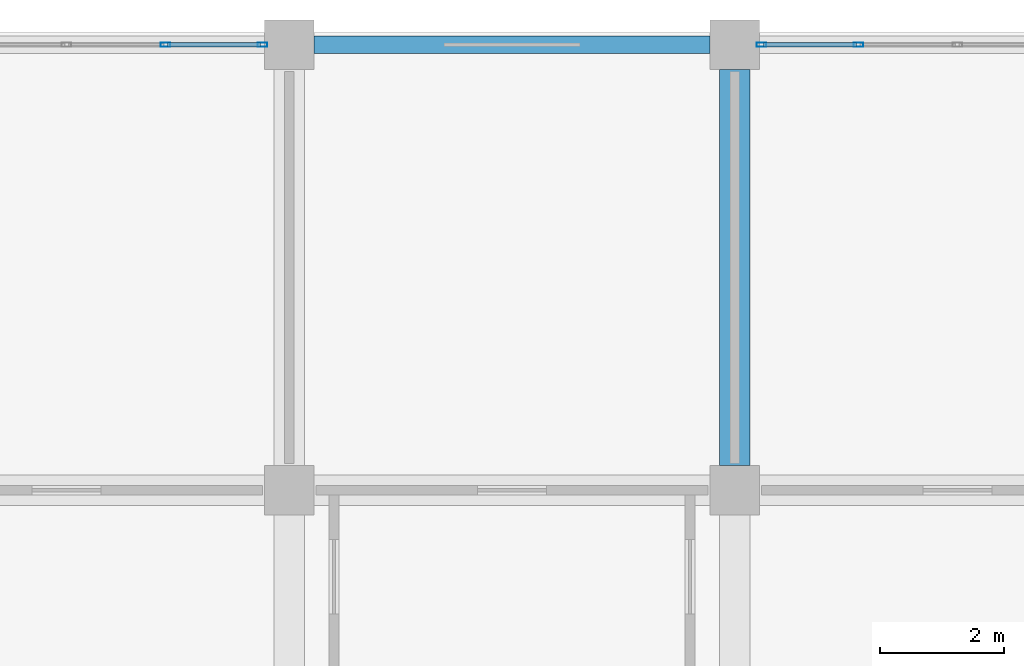
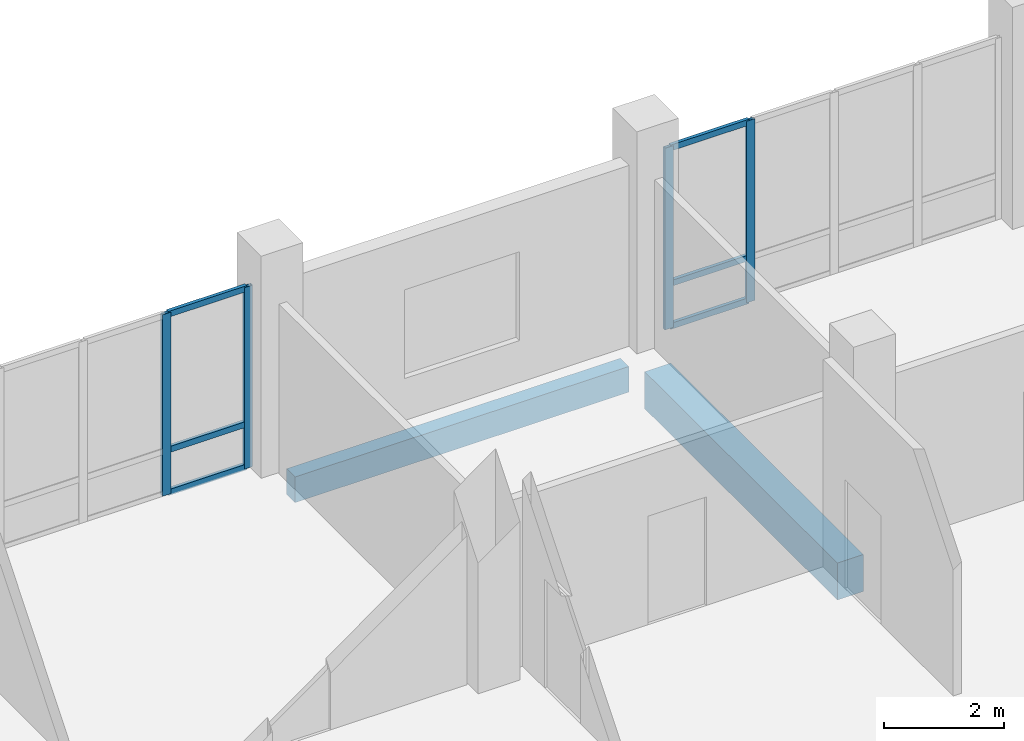
# One storey, part 59 of 139: 10 members, 2 beams, 2 elements without a shape of their own.
"""IFC4 building model written with IfcOpenShell, lengths in metres."""

import ifcopenshell
import ifcopenshell.guid

model = None  # the IFC model being written
_history = None  # IfcOwnerHistory: only IFC2X3 demands one
_inside = {}  # id of a spatial element -> (the spatial element, [elements in it])
_under = {}  # id of a project, library or spatial element -> (it, [spatial elements below it])
_declared = {}  # id of a project -> (the project, [libraries it declares])
_typed = {}  # id of a type object -> (the type object, [elements of that type])
_made_of = {}  # id of a material, layer set ... -> (it, [elements and type objects made of it])


def new_model(schema):
    """Start an empty IFC model of exactly this schema.

    Asked for "IFC4X3", IfcOpenShell would pick the latest addendum, in which some entities
    have other attributes; the version numbers below select the first issue.
    IFC2X3 requires an IfcOwnerHistory on every rooted entity: one is made here for all.
    """
    global model, _history
    if schema == "IFC4X3":
        model = ifcopenshell.file(schema_version=(4, 3, 0, 0))
    else:
        model = ifcopenshell.file(schema=schema)
    _inside.clear()
    _under.clear()
    _declared.clear()
    _typed.clear()
    _made_of.clear()
    _history = None
    if model.schema == "IFC2X3":
        org = make("IfcOrganization", Name="unknown")
        user = make(
            "IfcPersonAndOrganization",
            ThePerson=make("IfcPerson", FamilyName="unknown"),
            TheOrganization=org,
        )
        app = make(
            "IfcApplication",
            ApplicationDeveloper=org,
            Version="unknown",
            ApplicationFullName="unknown",
            ApplicationIdentifier="unknown",
        )
        _history = make(
            "IfcOwnerHistory",
            OwningUser=user,
            OwningApplication=app,
            ChangeAction="ADDED",
            CreationDate=0,
        )
    return model


def make(cls, **values):
    """One entity of the class cls with the attributes given. An attribute that is None is left unset."""
    return model.create_entity(
        cls, **{name: value for name, value in values.items() if value is not None}
    )


def rooted(cls, **values):
    """An entity with a GlobalId (a new one), such as an element, a storey or a relation."""
    return make(cls, GlobalId=ifcopenshell.guid.new(), OwnerHistory=_history, **values)


def si_unit(unit_type, name, prefix=None):
    """IfcSIUnit, for example si_unit("LENGTHUNIT", "METRE", prefix="MILLI")."""
    return make("IfcSIUnit", UnitType=unit_type, Prefix=prefix, Name=name)


def assignment(units):
    """IfcUnitAssignment: the units of a project."""
    return None if units is None else make("IfcUnitAssignment", Units=units)


def point(xyz):
    """IfcCartesianPoint."""
    return None if xyz is None else make("IfcCartesianPoint", Coordinates=xyz)


def direction(xyz):
    """IfcDirection."""
    return None if xyz is None else make("IfcDirection", DirectionRatios=xyz)


def frame(location, z_axis=None, x_axis=None):
    """IfcAxis2Placement3D, a coordinate frame: its origin and axes. An axis left out is left unset."""
    return make(
        "IfcAxis2Placement3D",
        Location=point(location),
        Axis=direction(z_axis),
        RefDirection=direction(x_axis),
    )


def frame_2d(location, x_axis=None):
    """IfcAxis2Placement2D, a coordinate frame in the plane: its origin and x axis."""
    return make(
        "IfcAxis2Placement2D", Location=point(location), RefDirection=direction(x_axis)
    )


def origin():
    """The frame at (0, 0, 0) with its axes left unset."""
    return frame((0.0, 0.0, 0.0))


def origin_2d():
    """The frame at (0, 0) in the plane with its x axis left unset."""
    return frame_2d((0.0, 0.0))


def place(relative_to, where):
    """IfcLocalPlacement: puts the frame where relative to a parent placement (None: the world)."""
    return make(
        "IfcLocalPlacement", PlacementRelTo=relative_to, RelativePlacement=where
    )


def context(
    kind, dimensions, precision=None, world=None, true_north=None, identifier=None
):
    """IfcGeometricRepresentationContext, for example the 3D "Model" context."""
    return make(
        "IfcGeometricRepresentationContext",
        ContextIdentifier=identifier,
        ContextType=kind,
        CoordinateSpaceDimension=dimensions,
        Precision=precision,
        WorldCoordinateSystem=world,
        TrueNorth=true_north,
    )


def subcontext(parent, identifier, kind, view, scale=None):
    """IfcGeometricRepresentationSubContext, for example "Body" below "Model"."""
    return make(
        "IfcGeometricRepresentationSubContext",
        ContextIdentifier=identifier,
        ContextType=kind,
        ParentContext=parent,
        TargetScale=scale,
        TargetView=view,
    )


def project(units=None, contexts=None):
    """IfcProject with its units and contexts."""
    return rooted(
        "IfcProject",
        Name="project",
        RepresentationContexts=contexts,
        UnitsInContext=assignment(units),
    )


def spatial(cls, under=None, at=None, **own):
    """A site, building, storey or space (cls), placed at a placement, below another one or the project."""
    s = rooted(cls, ObjectPlacement=at, **own)
    if under is not None:
        _under.setdefault(under.id(), (under, []))[1].append(s)
    return s


def profile(cls, at=None, kind="AREA", **sizes):
    """A parametric profile (cls). Its sizes go by their IFC names, for example OverallWidth=200.0."""
    return make(cls, ProfileType=kind, Position=at, **sizes)


def rectangle(**sizes):
    """IfcRectangleProfileDef."""
    return profile("IfcRectangleProfileDef", **sizes)


def hollow_rectangle(**sizes):
    """IfcRectangleHollowProfileDef."""
    return profile("IfcRectangleHollowProfileDef", **sizes)


def extrude(swept, where, along, depth):
    """IfcExtrudedAreaSolid: the profile swept, set in the frame where, extruded along a direction by depth."""
    return make(
        "IfcExtrudedAreaSolid",
        SweptArea=swept,
        Position=where,
        ExtrudedDirection=direction(along),
        Depth=depth,
    )


def shape(context_of_items, identifier, shape_type, items):
    """IfcShapeRepresentation: the items that make up one representation, for example the "Body"."""
    return make(
        "IfcShapeRepresentation",
        ContextOfItems=context_of_items,
        RepresentationIdentifier=identifier,
        RepresentationType=shape_type,
        Items=items,
    )


def material(Name=None, Category=None):
    """IfcMaterial."""
    return make("IfcMaterial", Name=Name, Category=Category)


def material_profile(
    of_material, cross_section, Name=None, Category=None, Priority=None
):
    """IfcMaterialProfile: a cross section and its material."""
    return make(
        "IfcMaterialProfile",
        Name=Name,
        Material=of_material,
        Profile=cross_section,
        Priority=Priority,
        Category=Category,
    )


def profile_set(profiles, Name=None, composite=None):
    """IfcMaterialProfileSet."""
    return make(
        "IfcMaterialProfileSet",
        Name=Name,
        MaterialProfiles=profiles,
        CompositeProfile=composite,
    )


def made_of(thing, what):
    """Note that an element or type object is made of a material, layer set ...; save() writes the relation."""
    if what is not None:
        _made_of.setdefault(what.id(), (what, []))[1].append(thing)
    return thing


def type_object(cls, material=None, **own):
    """A type object (cls), such as IfcWallType, which elements share."""
    return made_of(rooted(cls, **own), material)


def element(
    cls,
    number,
    at=None,
    inside=None,
    cuts=None,
    type_object=None,
    material=None,
    context=None,
    identifier="Body",
    shape_type=None,
    held_by="IfcProductDefinitionShape",
    body=None,
    shapes=None,
    **own,
):
    """One element of the class cls, such as IfcWall. Its Tag is "e" and its number.

    at: its placement. inside: the storey or other place that contains it. cuts: it is an
    opening in that element (IfcRelVoidsElement). A single representation is given by context,
    identifier, shape_type and body (its items); several are given by shapes. held_by: the class
    of the entity that holds the representations. save() writes the other relations.
    """
    e = rooted(cls, Tag="e%d" % number, ObjectPlacement=at, **own)
    if body is not None:
        shapes = [shape(context, identifier, shape_type, body)]
    if shapes is not None:
        e.Representation = make(held_by, Representations=shapes)
    if inside is not None:
        _inside.setdefault(inside.id(), (inside, []))[1].append(e)
    if cuts is not None:
        rooted(
            "IfcRelVoidsElement", RelatingBuildingElement=cuts, RelatedOpeningElement=e
        )
    if type_object is not None:
        _typed.setdefault(type_object.id(), (type_object, []))[1].append(e)
    return made_of(e, material)


def aggregate(whole, parts):
    """IfcRelAggregates: a whole, such as a stair, and the parts it consists of."""
    return rooted("IfcRelAggregates", RelatingObject=whole, RelatedObjects=parts)


def save(model, path):
    """Write the relations noted so far, then the file.

    IfcRelAggregates (storeys below a building ...), IfcRelContainedInSpatialStructure (elements
    in a storey), IfcRelDefinesByType, IfcRelAssociatesMaterial and IfcRelDeclares: one each for
    every whole, place, type object, material and project.
    """
    for whole, parts in _under.values():
        aggregate(whole, parts)
    for where, things in _inside.values():
        rooted(
            "IfcRelContainedInSpatialStructure",
            RelatedElements=things,
            RelatingStructure=where,
        )
    for kind, things in _typed.values():
        rooted("IfcRelDefinesByType", RelatedObjects=things, RelatingType=kind)
    for what, things in _made_of.values():
        rooted("IfcRelAssociatesMaterial", RelatedObjects=things, RelatingMaterial=what)
    for by, libraries in _declared.values():
        rooted("IfcRelDeclares", RelatingContext=by, RelatedDefinitions=libraries)
    model.write(path)


model = new_model("IFC4")

# Units and contexts
model_context = context("Model", 3, precision=1e-05, world=origin(), true_north=direction((0.0, 1.0)))
body_context = subcontext(model_context, "Body", "Model", "MODEL_VIEW")
ifc_project = project(units=[si_unit("LENGTHUNIT", "METRE"), si_unit("AREAUNIT", "SQUARE_METRE"), si_unit("VOLUMEUNIT", "CUBIC_METRE"), si_unit("PLANEANGLEUNIT", "RADIAN"), si_unit("MASSUNIT", "GRAM", prefix="KILO")], contexts=[model_context])

# Site, building, storey
site_placement = place(None, origin())
site = spatial("IfcSite", under=ifc_project, at=site_placement, CompositionType="ELEMENT")
building_placement = place(site_placement, origin())
building = spatial("IfcBuilding", under=site, at=building_placement, Name="Suanplinth Sawtooth Commons", CompositionType="ELEMENT")
storey_placement = place(building_placement, origin())
storey = spatial("IfcBuildingStorey", under=building, at=storey_placement, Name="L00", CompositionType="ELEMENT", Elevation=0.0)

# Beams
ifc_material_1 = material(Name="Concrete C40/50", Category="concrete")
ifc_material_profile_1 = material_profile(ifc_material_1, rectangle(XDim=0.5, YDim=0.75, at=origin_2d()), Name="RC-GDR 500x750")
ifc_profile_set_1 = profile_set([ifc_material_profile_1], Name="Concrete C40/50")
beam_type_1 = type_object("IfcBeamType", Name="B-03", PredefinedType="USERDEFINED", material=ifc_profile_set_1)
beam_1_placement = place(storey_placement, frame((72.0, 115.60009765625, -0.784912109375), z_axis=(0.0, 1.0, 0.0), x_axis=(-1.0, 0.0, 0.0)))
element("IfcBeam", 1, at=beam_1_placement, inside=storey, type_object=beam_type_1, Name="BMY-L00-A-10-16", ObjectType="GIRDER", PredefinedType="USERDEFINED", context=body_context, shape_type="SweptSolid", body=[
    extrude(rectangle(XDim=0.5, YDim=0.75, at=origin_2d()), origin(), (0.0, 0.0, 1.0), 6.39990234375),
])
ifc_material_2 = material(Name="Precast concrete C40/50", Category="concrete")
ifc_material_profile_2 = material_profile(ifc_material_2, rectangle(XDim=0.280029296875, YDim=0.52001953125, at=origin_2d()), Name="PC-SP 280x520")
ifc_profile_set_2 = profile_set([ifc_material_profile_2], Name="Precast concrete C40/50")
beam_type_2 = type_object("IfcBeamType", Name="B-08", PredefinedType="SPANDREL", material=ifc_profile_set_2)
beam_2_placement = place(storey_placement, frame((65.199951171875, 122.39990234375, -0.669921875), z_axis=(1.0, 0.0, 0.0), x_axis=(0.0, 1.0, 0.0)))
element("IfcBeam", 2, at=beam_2_placement, inside=storey, type_object=beam_type_2, Name="BMX-L00-A-9-17", PredefinedType="SPANDREL", context=body_context, shape_type="SweptSolid", body=[
    extrude(rectangle(XDim=0.280029296875, YDim=0.52001953125, at=origin_2d()), origin(), (0.0, 0.0, 1.0), 6.400146484375),
])

# Curtain wall, members
ifc_material_3 = material(Name="Anodized aluminium and low-E glazing", Category="aluminium")
curtain_wall_type = type_object("IfcCurtainWallType", Name="CW-04", PredefinedType="USERDEFINED", material=ifc_material_3)
curtain_wall_1_placement = place(storey_placement, origin())
curtain_wall_1 = element("IfcCurtainWall", 3, at=curtain_wall_1_placement, inside=storey, type_object=curtain_wall_type, Name="Curtain Wall CW-L00-A-N-8", ObjectType="CURTAIN WALL", PredefinedType="USERDEFINED")
ifc_material_4 = material(Name="Anodized aluminium 6063-T6", Category="aluminium")
ifc_material_profile_3 = material_profile(ifc_material_4, hollow_rectangle(XDim=0.06494140625, YDim=0.159912109375, WallThickness=0.00390625, at=origin_2d()), Name="ALU-MUL 65x160")
ifc_profile_set_3 = profile_set([ifc_material_profile_3], Name="Anodized aluminium 6063-T6")
member_type_1 = type_object("IfcMemberType", Name="M-13", PredefinedType="MULLION", material=ifc_profile_set_3)
member_1_placement = place(storey_placement, frame((62.800048828125, 122.39990234375, 0.0), z_axis=(0.0, 0.0, 1.0), x_axis=(0.0, 1.0, 0.0)))
member_1 = element("IfcMember", 4, at=member_1_placement, type_object=member_type_1, Name="CW-04 mullion 4", PredefinedType="MULLION", context=body_context, shape_type="SweptSolid", body=[
    extrude(hollow_rectangle(XDim=0.06494140625, YDim=0.159912109375, WallThickness=0.00390625, at=origin_2d()), origin(), (0.0, 0.0, 1.0), 3.679931640625),
])
member_2_placement = place(storey_placement, frame((64.367431640625, 122.39990234375, 0.0), z_axis=(0.0, 0.0, 1.0), x_axis=(0.0, 1.0, 0.0)))
member_2 = element("IfcMember", 5, at=member_2_placement, type_object=member_type_1, Name="CW-04 mullion 5", PredefinedType="MULLION", context=body_context, shape_type="SweptSolid", body=[
    extrude(hollow_rectangle(XDim=0.06494140625, YDim=0.159912109375, WallThickness=0.00390625, at=origin_2d()), origin(), (0.0, 0.0, 1.0), 3.679931640625),
])

curtain_wall_2_placement = place(storey_placement, origin())
curtain_wall_2 = element("IfcCurtainWall", 6, at=curtain_wall_2_placement, inside=storey, type_object=curtain_wall_type, Name="Curtain Wall CW-L00-A-N-10", ObjectType="CURTAIN WALL", PredefinedType="USERDEFINED")
member_3_placement = place(storey_placement, frame((72.4326171875, 122.39990234375, 0.0), z_axis=(0.0, 0.0, 1.0), x_axis=(0.0, 1.0, 0.0)))
member_3 = element("IfcMember", 7, at=member_3_placement, type_object=member_type_1, Name="CW-04 mullion 1", PredefinedType="MULLION", context=body_context, shape_type="SweptSolid", body=[
    extrude(hollow_rectangle(XDim=0.06494140625, YDim=0.159912109375, WallThickness=0.00390625, at=origin_2d()), origin(), (0.0, 0.0, 1.0), 3.679931640625),
])
member_4_placement = place(storey_placement, frame((74.0, 122.39990234375, 0.0), z_axis=(0.0, 0.0, 1.0), x_axis=(0.0, 1.0, 0.0)))
member_4 = element("IfcMember", 8, at=member_4_placement, type_object=member_type_1, Name="CW-04 mullion 2", PredefinedType="MULLION", context=body_context, shape_type="SweptSolid", body=[
    extrude(hollow_rectangle(XDim=0.06494140625, YDim=0.159912109375, WallThickness=0.00390625, at=origin_2d()), origin(), (0.0, 0.0, 1.0), 3.679931640625),
])

# Member
ifc_material_profile_4 = material_profile(ifc_material_4, hollow_rectangle(XDim=0.06494140625, YDim=0.1201171875, WallThickness=0.00390625, at=origin_2d()), Name="ALU-TRN 65x120")
ifc_profile_set_4 = profile_set([ifc_material_profile_4], Name="Anodized aluminium 6063-T6")
member_type_2 = type_object("IfcMemberType", Name="M-15", PredefinedType="USERDEFINED", material=ifc_profile_set_4)
member_5_placement = place(storey_placement, frame((62.83251953125, 122.39990234375, 0.032470703125), z_axis=(1.0, 0.0, 0.0), x_axis=(0.0, 1.0, 0.0)))
member_5 = element("IfcMember", 9, at=member_5_placement, type_object=member_type_2, Name="CW-04 transom 4.1", ObjectType="TRANSOM", PredefinedType="USERDEFINED", context=body_context, shape_type="SweptSolid", body=[
    extrude(hollow_rectangle(XDim=0.06494140625, YDim=0.1201171875, WallThickness=0.00390625, at=origin_2d()), origin(), (0.0, 0.0, 1.0), 1.50244140625),
])

member_6_placement = place(storey_placement, frame((62.83251953125, 122.39990234375, 0.89990234375), z_axis=(1.0, 0.0, 0.0), x_axis=(0.0, 1.0, 0.0)))
member_6 = element("IfcMember", 10, at=member_6_placement, type_object=member_type_2, Name="CW-04 transom 4.2", ObjectType="TRANSOM", PredefinedType="USERDEFINED", context=body_context, shape_type="SweptSolid", body=[
    extrude(hollow_rectangle(XDim=0.06494140625, YDim=0.1201171875, WallThickness=0.00390625, at=origin_2d()), origin(), (0.0, 0.0, 1.0), 1.50244140625),
])

member_7_placement = place(storey_placement, frame((62.83251953125, 122.39990234375, 3.6474609375), z_axis=(1.0, 0.0, 0.0), x_axis=(0.0, 1.0, 0.0)))
member_7 = element("IfcMember", 11, at=member_7_placement, type_object=member_type_2, Name="CW-04 transom 4.3", ObjectType="TRANSOM", PredefinedType="USERDEFINED", context=body_context, shape_type="SweptSolid", body=[
    extrude(hollow_rectangle(XDim=0.06494140625, YDim=0.1201171875, WallThickness=0.00390625, at=origin_2d()), origin(), (0.0, 0.0, 1.0), 1.50244140625),
])

aggregate(curtain_wall_1, [member_1, member_2, member_5, member_6, member_7])

member_8_placement = place(storey_placement, frame((72.465087890625, 122.39990234375, 0.032470703125), z_axis=(1.0, 0.0, 0.0), x_axis=(0.0, 1.0, 0.0)))
member_8 = element("IfcMember", 12, at=member_8_placement, type_object=member_type_2, Name="CW-04 transom 1.1", ObjectType="TRANSOM", PredefinedType="USERDEFINED", context=body_context, shape_type="SweptSolid", body=[
    extrude(hollow_rectangle(XDim=0.06494140625, YDim=0.1201171875, WallThickness=0.00390625, at=origin_2d()), origin(), (0.0, 0.0, 1.0), 1.50244140625),
])

member_9_placement = place(storey_placement, frame((72.465087890625, 122.39990234375, 0.89990234375), z_axis=(1.0, 0.0, 0.0), x_axis=(0.0, 1.0, 0.0)))
member_9 = element("IfcMember", 13, at=member_9_placement, type_object=member_type_2, Name="CW-04 transom 1.2", ObjectType="TRANSOM", PredefinedType="USERDEFINED", context=body_context, shape_type="SweptSolid", body=[
    extrude(hollow_rectangle(XDim=0.06494140625, YDim=0.1201171875, WallThickness=0.00390625, at=origin_2d()), origin(), (0.0, 0.0, 1.0), 1.50244140625),
])

member_10_placement = place(storey_placement, frame((72.465087890625, 122.39990234375, 3.6474609375), z_axis=(1.0, 0.0, 0.0), x_axis=(0.0, 1.0, 0.0)))
member_10 = element("IfcMember", 14, at=member_10_placement, type_object=member_type_2, Name="CW-04 transom 1.3", ObjectType="TRANSOM", PredefinedType="USERDEFINED", context=body_context, shape_type="SweptSolid", body=[
    extrude(hollow_rectangle(XDim=0.06494140625, YDim=0.1201171875, WallThickness=0.00390625, at=origin_2d()), origin(), (0.0, 0.0, 1.0), 1.50244140625),
])

aggregate(curtain_wall_2, [member_3, member_4, member_8, member_9, member_10])

save(model, "model.ifc")
